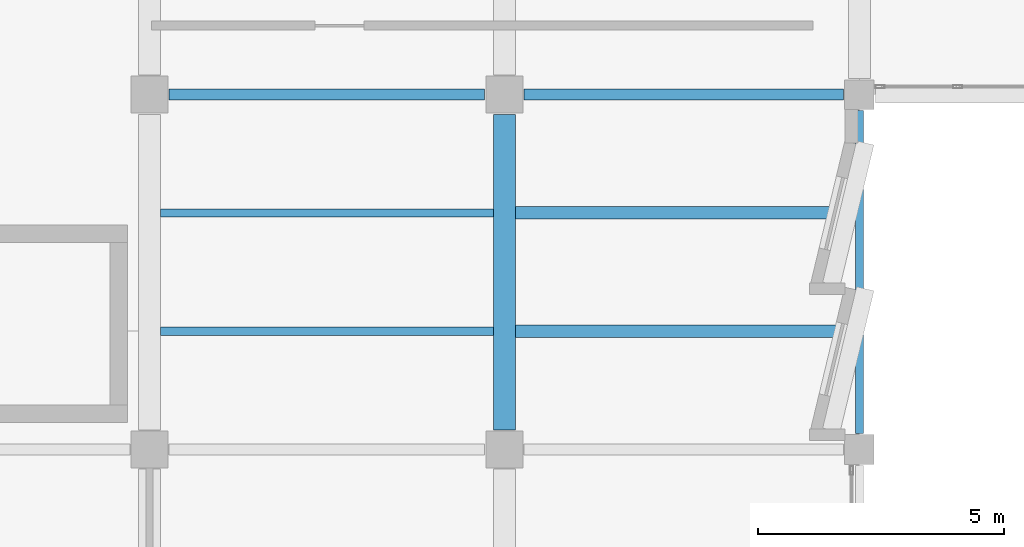
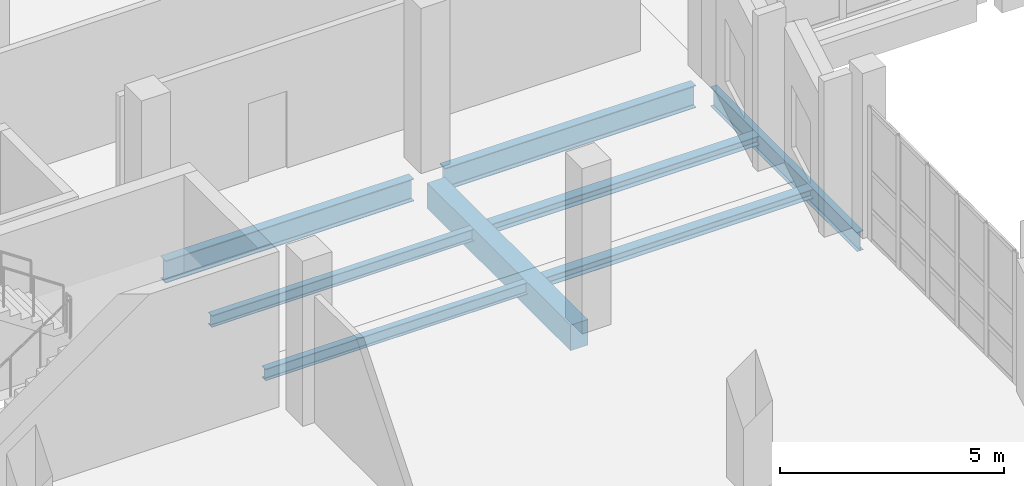
# One storey, part 47 of 123: 8 beams.
"""IFC4 building model written with IfcOpenShell, lengths in metres."""

from ifc_helpers import new_model, si_unit, direction, frame, origin, origin_2d, place, context, subcontext, project, spatial, rectangle, i_section, extrude, material, material_profile, profile_set, type_object, element, save


model = new_model("IFC4")

# Units and contexts
model_context = context("Model", 3, precision=1e-05, world=origin(), true_north=direction((0.0, 1.0)))
body_context = subcontext(model_context, "Body", "Model", "MODEL_VIEW")
ifc_project = project(units=[si_unit("LENGTHUNIT", "METRE"), si_unit("AREAUNIT", "SQUARE_METRE"), si_unit("VOLUMEUNIT", "CUBIC_METRE"), si_unit("PLANEANGLEUNIT", "RADIAN"), si_unit("MASSUNIT", "GRAM", prefix="KILO")], contexts=[model_context])

# Site, building, storey
site_placement = place(None, origin())
site = spatial("IfcSite", under=ifc_project, at=site_placement, CompositionType="ELEMENT")
building_placement = place(site_placement, origin())
building = spatial("IfcBuilding", under=site, at=building_placement, Name="Kalmorath City Hall", CompositionType="ELEMENT")
storey_placement = place(building_placement, frame((0.0, 0.0, 10.199951171875)))
storey = spatial("IfcBuildingStorey", under=building, at=storey_placement, Name="L02", CompositionType="ELEMENT", Elevation=10.199951171875)

# Beams
ifc_material_1 = material(Name="Concrete C40/50", Category="concrete")
ifc_material_profile_1 = material_profile(ifc_material_1, rectangle(XDim=0.449951171875, YDim=0.699951171875, at=origin_2d()), Name="RC-BM-450X700")
ifc_profile_set_1 = profile_set([ifc_material_profile_1], Name="Concrete C40/50")
beam_type_1 = type_object("IfcBeamType", Name="Concrete floor beam 450x700", PredefinedType="BEAM", material=ifc_profile_set_1)
beam_1_placement = place(storey_placement, frame((21.60009765625, 86.800048828125, -0.634033203125), z_axis=(0.0, 1.0, 0.0), x_axis=(-1.0, 0.0, 0.0)))
element("IfcBeam", 1, at=beam_1_placement, inside=storey, type_object=beam_type_1, Name="L02 girder CB4 Y4/13-14", PredefinedType="BEAM", context=body_context, shape_type="SweptSolid", body=[
    extrude(rectangle(XDim=0.449951171875, YDim=0.699951171875, at=origin_2d()), origin(), (0.0, 0.0, 1.0), 6.39990234375),
])
ifc_material_2 = material(Name="Steel ASTM A992 Grade 50", Category="steel")
ifc_material_profile_2 = material_profile(ifc_material_2, i_section(OverallWidth=0.22900390625, OverallDepth=0.612060546875, WebThickness=0.011962890625, FlangeThickness=0.01953125, FilletRadius=0.01611328125, at=origin_2d()), Name="W24X84")
ifc_profile_set_2 = profile_set([ifc_material_profile_2], Name="Steel ASTM A992 Grade 50")
beam_type_2 = type_object("IfcBeamType", Name="Steel floor girder W24X84", PredefinedType="BEAM", material=ifc_profile_set_2)
beam_2_placement = place(storey_placement, frame((14.800048828125, 93.60009765625, -0.58984375), z_axis=(1.0, 0.0, 0.0), x_axis=(0.0, 1.0, 0.0)))
element("IfcBeam", 2, at=beam_2_placement, inside=storey, type_object=beam_type_2, Name="L02 girder SG8 X3-4/14", PredefinedType="BEAM", context=body_context, shape_type="SweptSolid", body=[
    extrude(i_section(OverallWidth=0.22900390625, OverallDepth=0.612060546875, WebThickness=0.011962890625, FlangeThickness=0.01953125, FilletRadius=0.01611328125, at=origin_2d()), origin(), (0.0, 0.0, 1.0), 6.39990234375),
])
beam_3_placement = place(storey_placement, frame((22.0, 93.60009765625, -0.58984375), z_axis=(1.0, 0.0, 0.0), x_axis=(0.0, 1.0, 0.0)))
element("IfcBeam", 3, at=beam_3_placement, inside=storey, type_object=beam_type_2, Name="L02 girder SG8 X4-5/14", PredefinedType="BEAM", context=body_context, shape_type="SweptSolid", body=[
    extrude(i_section(OverallWidth=0.22900390625, OverallDepth=0.612060546875, WebThickness=0.011962890625, FlangeThickness=0.01953125, FilletRadius=0.01611328125, at=origin_2d()), origin(), (0.0, 0.0, 1.0), 6.47509765625),
])
ifc_material_3 = material(Name="Steel ASTM A992 Grade 50", Category="steel")
ifc_material_profile_3 = material_profile(ifc_material_3, i_section(OverallWidth=0.1669921875, OverallDepth=0.318115234375, WebThickness=0.007568359375, FlangeThickness=0.01318359375, FilletRadius=0.012939453125, at=origin_2d()), Name="W12X35")
ifc_profile_set_3 = profile_set([ifc_material_profile_3], Name="Steel ASTM A992 Grade 50")
beam_type_3 = type_object("IfcBeamType", Name="Steel header lintel W12X35", PredefinedType="LINTEL", material=ifc_profile_set_3)
for number, where, z_axis, x_axis, name in (
    (4, (14.625, 88.800048828125, -0.44287109375), (1.0, 0.0, 0.0), (0.0, 1.0, 0.0), "L02 joist SJ13 3.13.1"),
    (5, (14.625, 91.199951171875, -0.44287109375), (1.0, 0.0, 0.0), (0.0, 1.0, 0.0), "L02 joist SJ13 3.13.2"),
):
    element("IfcBeam", number, at=place(storey_placement, frame(where, z_axis=z_axis, x_axis=x_axis)), inside=storey, type_object=beam_type_3, Name=name, PredefinedType="LINTEL", context=body_context, shape_type="SweptSolid", body=[
        extrude(i_section(OverallWidth=0.1669921875, OverallDepth=0.318115234375, WebThickness=0.007568359375, FlangeThickness=0.01318359375, FilletRadius=0.012939453125, at=origin_2d()), origin(), (0.0, 0.0, 1.0), 6.75),
    ])
ifc_material_4 = material(Name="Steel ASTM A992 Grade 50", Category="steel")
ifc_material_profile_4 = material_profile(ifc_material_4, i_section(OverallWidth=0.1650390625, OverallDepth=0.52490234375, WebThickness=0.0087890625, FlangeThickness=0.011474609375, FilletRadius=0.014892578125, at=origin_2d()), Name="W21X44")
ifc_profile_set_4 = profile_set([ifc_material_profile_4], Name="Steel ASTM A992 Grade 50")
beam_type_4 = type_object("IfcBeamType", Name="Steel spandrel beam W21X44", PredefinedType="SPANDREL", material=ifc_profile_set_4)
beam_4_placement = place(storey_placement, frame((28.800048828125, 86.72509765625, -0.54638671875), z_axis=(0.0, 1.0, 0.0), x_axis=(-1.0, 0.0, 0.0)))
element("IfcBeam", 6, at=beam_4_placement, inside=storey, type_object=beam_type_4, Name="L02 girder SB4 Y5/13-14", PredefinedType="SPANDREL", context=body_context, shape_type="SweptSolid", body=[
    extrude(i_section(OverallWidth=0.1650390625, OverallDepth=0.52490234375, WebThickness=0.0087890625, FlangeThickness=0.011474609375, FilletRadius=0.014892578125, at=origin_2d()), origin(), (0.0, 0.0, 1.0), 6.5498046875),
])
ifc_material_5 = material(Name="Steel ASTM A992 Grade 50", Category="steel")
ifc_material_profile_5 = material_profile(ifc_material_5, i_section(OverallWidth=0.25390625, OverallDepth=0.2529296875, WebThickness=0.008544921875, FlangeThickness=0.01416015625, FilletRadius=0.011962890625, at=origin_2d()), Name="W10X49")
ifc_profile_set_5 = profile_set([ifc_material_profile_5], Name="Steel ASTM A992 Grade 50")
beam_type_5 = type_object("IfcBeamType", Name="Steel trimmer beam W10X49", PredefinedType="BEAM", material=ifc_profile_set_5)
for number, where, z_axis, x_axis, name in (
    (7, (21.824951171875, 88.800048828125, -0.410400390625), (1.0, 0.0, 0.0), (0.0, 1.0, 0.0), "L02 joist SJ14 4.13.1"),
    (8, (21.824951171875, 91.199951171875, -0.410400390625), (1.0, 0.0, 0.0), (0.0, 1.0, 0.0), "L02 joist SJ14 4.13.2"),
):
    element("IfcBeam", number, at=place(storey_placement, frame(where, z_axis=z_axis, x_axis=x_axis)), inside=storey, type_object=beam_type_5, Name=name, PredefinedType="BEAM", context=body_context, shape_type="SweptSolid", body=[
        extrude(i_section(OverallWidth=0.25390625, OverallDepth=0.2529296875, WebThickness=0.008544921875, FlangeThickness=0.01416015625, FilletRadius=0.011962890625, at=origin_2d()), origin(), (0.0, 0.0, 1.0), 6.892578125),
    ])

save(model, "model.ifc")
